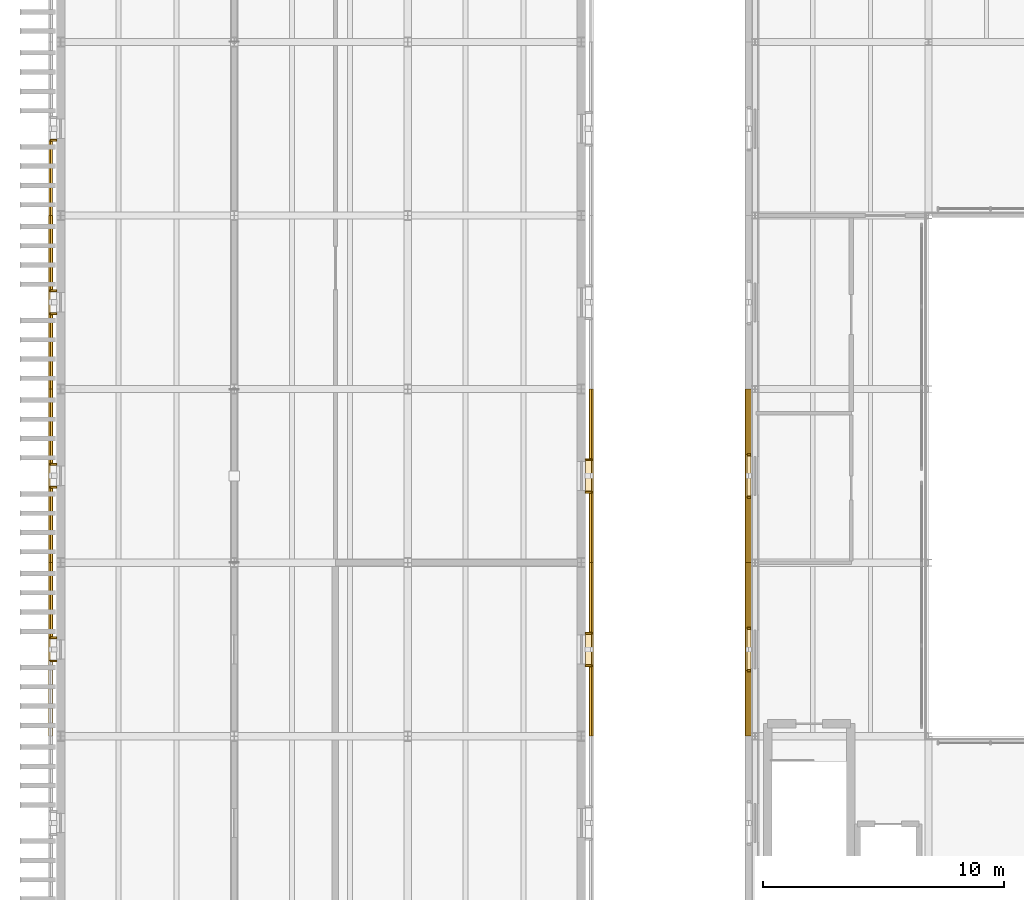
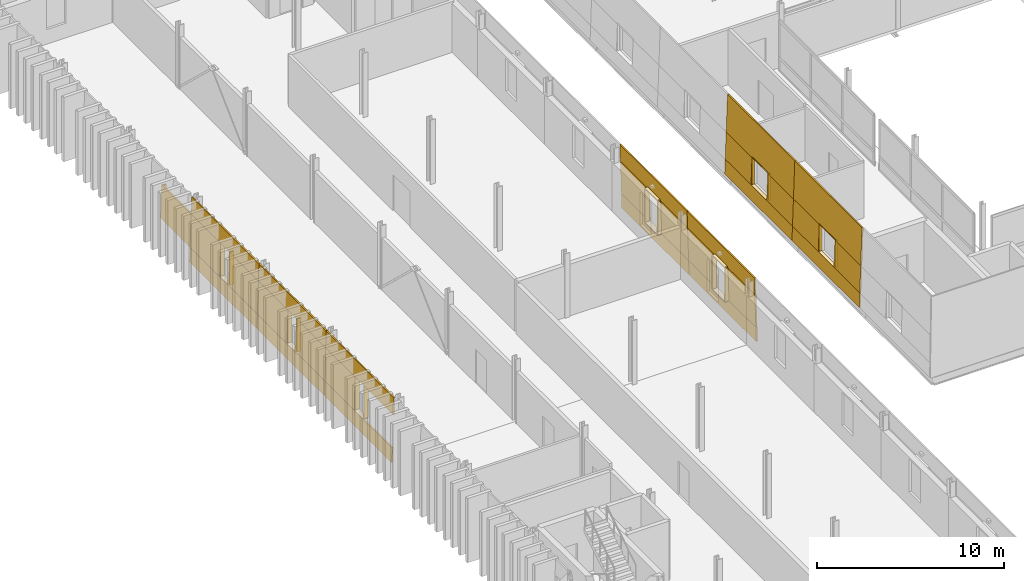
# One storey, part 61 of 66: 54 coverings.
"""IFC4 building model written with IfcOpenShell, lengths in metres."""

from ifc_helpers import new_model, si_unit, direction, frame, origin, place, context, subcontext, project, spatial, polyline, outline, extrude, material, layer, layer_set, type_object, element, save


model = new_model("IFC4")

# Units and contexts
model_context = context("Model", 3, precision=1e-05, world=origin(), true_north=direction((0.0, 1.0)))
body_context = subcontext(model_context, "Body", "Model", "MODEL_VIEW")
ifc_project = project(units=[si_unit("LENGTHUNIT", "METRE"), si_unit("AREAUNIT", "SQUARE_METRE"), si_unit("VOLUMEUNIT", "CUBIC_METRE"), si_unit("PLANEANGLEUNIT", "RADIAN"), si_unit("MASSUNIT", "GRAM", prefix="KILO")], contexts=[model_context])

# Site, building, storey
site_placement = place(None, origin())
site = spatial("IfcSite", under=ifc_project, at=site_placement, CompositionType="ELEMENT")
building_placement = place(site_placement, origin())
building = spatial("IfcBuilding", under=site, at=building_placement, Name="Narikvali Park Central Library", CompositionType="ELEMENT")
storey_placement = place(building_placement, frame((0.0, 0.0, 18.60009765625)))
storey = spatial("IfcBuildingStorey", under=building, at=storey_placement, Name="L04", CompositionType="ELEMENT", Elevation=18.60009765625)

# Coverings
ifc_material = material(Name="White Honed Limestone Cladding", Category="masonry")
ifc_layer_1 = layer(ifc_material, 0.0849609375, Name="White Honed Limestone Cladding")
ifc_layer_set_1 = layer_set([ifc_layer_1], Name="White Honed Limestone Cladding")
covering_type_1 = type_object("IfcCoveringType", Name="Battered White Limestone Facade Cladding Panel", PredefinedType="CLADDING", material=ifc_layer_set_1)
covering_1_placement = place(storey_placement, frame((28.386474609375, 79.199951171875, 0.0), z_axis=(-0.999433733171, 0.0, 0.033648372924), x_axis=(0.0, -1.0, 0.0)))
element("IfcCovering", 1, at=covering_1_placement, inside=storey, type_object=covering_type_1, Name="V4 L04 W Battered Limestone Spandrel B04", PredefinedType="CLADDING", context=body_context, shape_type="SweptSolid", body=[
    extrude(outline(polyline([(0.0, 0.0), (7.199951171875, 0.0), (7.199951171875, 0.950489402495197), (0.0, 0.950489402495197), (0.0, 0.0)])), origin(), (0.0, 0.0, -1.0), 0.0849609375),
])
covering_2_placement = place(storey_placement, frame((28.4775390625, 79.199951171875, 2.699951171875), z_axis=(-0.999433239835, 0.0, 0.033663022926), x_axis=(0.0, -1.0, 0.0)))
element("IfcCovering", 2, at=covering_2_placement, inside=storey, type_object=covering_type_1, Name="V4 L04 W Battered Limestone Lintel B04", PredefinedType="CLADDING", context=body_context, shape_type="SweptSolid", body=[
    extrude(outline(polyline([(0.0, 0.0), (7.199951171875, 0.0), (7.199951171875, 2.451340494017387), (0.0, 2.451340494017387), (0.0, 0.0)])), origin(), (0.0, 0.0, -1.0), 0.0849609375),
])
for number, where, z_axis, x_axis, name in (
    (3, (28.41845703125, 79.199951171875, 0.949951171875), (-0.999430578744, 0.0, 0.033741936392), (0.0, -1.0, 0.0), "V4 L04 W Battered Limestone Jamb Pier L B04"),
    (4, (28.41845703125, 74.760009765625, 0.949951171875), (-0.999430578744, 0.0, 0.033741936392), (0.0, -1.0, 0.0), "V4 L04 W Battered Limestone Jamb Pier R B04"),
):
    element("IfcCovering", number, at=place(storey_placement, frame(where, z_axis=z_axis, x_axis=x_axis)), inside=storey, type_object=covering_type_1, Name=name, PredefinedType="CLADDING", context=body_context, shape_type="SweptSolid", body=[
        extrude(outline(polyline([(0.0, 0.0), (2.760009765625, 0.0), (2.760009765625, 1.750997054942305), (0.0, 1.750997054942305), (0.0, 0.0)])), origin(), (0.0, 0.0, -1.0), 0.0849609375),
    ])
covering_3_placement = place(storey_placement, frame((28.386474609375, 72.0, 0.0), z_axis=(-0.999433733171, 0.0, 0.033648372924), x_axis=(0.0, -1.0, 0.0)))
element("IfcCovering", 5, at=covering_3_placement, inside=storey, type_object=covering_type_1, Name="V4 L04 W Battered Limestone Spandrel B05", PredefinedType="CLADDING", context=body_context, shape_type="SweptSolid", body=[
    extrude(outline(polyline([(0.0, 0.0), (7.199951171875, 0.0), (7.199951171875, 0.950489402495197), (0.0, 0.950489402495197), (0.0, 0.0)])), origin(), (0.0, 0.0, -1.0), 0.0849609375),
])
covering_4_placement = place(storey_placement, frame((28.4775390625, 72.0, 2.699951171875), z_axis=(-0.999433239835, 0.0, 0.033663022926), x_axis=(0.0, -1.0, 0.0)))
element("IfcCovering", 6, at=covering_4_placement, inside=storey, type_object=covering_type_1, Name="V4 L04 W Battered Limestone Lintel B05", PredefinedType="CLADDING", context=body_context, shape_type="SweptSolid", body=[
    extrude(outline(polyline([(0.0, 0.0), (7.199951171875, 0.0), (7.199951171875, 2.451340494017387), (0.0, 2.451340494017387), (0.0, 0.0)])), origin(), (0.0, 0.0, -1.0), 0.0849609375),
])
for number, where, z_axis, x_axis, name in (
    (7, (28.41845703125, 72.0, 0.949951171875), (-0.999430578744, 0.0, 0.033741936392), (0.0, -1.0, 0.0), "V4 L04 W Battered Limestone Jamb Pier L B05"),
    (8, (28.41845703125, 67.56005859375, 0.949951171875), (-0.999430578744, 0.0, 0.033741936392), (0.0, -1.0, 0.0), "V4 L04 W Battered Limestone Jamb Pier R B05"),
):
    element("IfcCovering", number, at=place(storey_placement, frame(where, z_axis=z_axis, x_axis=x_axis)), inside=storey, type_object=covering_type_1, Name=name, PredefinedType="CLADDING", context=body_context, shape_type="SweptSolid", body=[
        extrude(outline(polyline([(0.0, 0.0), (2.760009765625, 0.0), (2.760009765625, 1.750997054942305), (0.0, 1.750997054942305), (0.0, 0.0)])), origin(), (0.0, 0.0, -1.0), 0.0849609375),
    ])
covering_5_placement = place(storey_placement, frame((22.1123046875, 64.800048828125, 0.0), z_axis=(0.999600632529, 0.0, 0.02825907725), x_axis=(0.0, 1.0, 0.0)))
element("IfcCovering", 9, at=covering_5_placement, inside=storey, type_object=covering_type_1, Name="V5 L04 E Battered Limestone Spandrel B05", PredefinedType="CLADDING", context=body_context, shape_type="SweptSolid", body=[
    extrude(outline(polyline([(0.0, 0.0), (7.199951171875, 0.0), (7.199951171875, 0.9503307030441919), (0.0, 0.9503307030441919), (0.0, 0.0)])), origin(), (0.0, 0.0, -1.0), 0.0849609375),
])
covering_6_placement = place(storey_placement, frame((22.0244140625, 64.800048828125, 3.099853515625), z_axis=(0.999596777432, 0.0, 0.028395114849), x_axis=(0.0, 1.0, 0.0)))
element("IfcCovering", 10, at=covering_6_placement, inside=storey, type_object=covering_type_1, Name="V5 L04 E Battered Limestone Lintel B05", PredefinedType="CLADDING", context=body_context, shape_type="SweptSolid", body=[
    extrude(outline(polyline([(0.0, 0.0), (7.199951171875, 0.0), (7.199951171875, 1.1005414193871774), (0.0, 1.1005414193871774), (0.0, 0.0)])), origin(), (0.0, 0.0, -1.0), 0.0849609375),
])
for number, where, z_axis, x_axis, name in (
    (11, (22.08544921875, 64.800048828125, 0.949951171875), (0.99959725493, 0.0, 0.028378300447), (0.0, 1.0, 0.0), "V5 L04 E Battered Limestone Jamb Pier L B05"),
    (12, (22.08544921875, 69.0400390625, 0.949951171875), (0.99959725493, 0.0, 0.028378300447), (0.0, 1.0, 0.0), "V5 L04 E Battered Limestone Jamb Pier R B05"),
):
    element("IfcCovering", number, at=place(storey_placement, frame(where, z_axis=z_axis, x_axis=x_axis)), inside=storey, type_object=covering_type_1, Name=name, PredefinedType="CLADDING", context=body_context, shape_type="SweptSolid", body=[
        extrude(outline(polyline([(0.0, 0.0), (2.9599609375, 0.0), (2.9599609375, 2.150768555182125), (0.0, 2.150768555182125), (0.0, 0.0)])), origin(), (0.0, 0.0, -1.0), 0.0849609375),
    ])
covering_7_placement = place(storey_placement, frame((22.1123046875, 72.0, 0.0), z_axis=(0.999600632529, 0.0, 0.02825907725), x_axis=(0.0, 1.0, 0.0)))
element("IfcCovering", 13, at=covering_7_placement, inside=storey, type_object=covering_type_1, Name="V5 L04 E Battered Limestone Spandrel B06", PredefinedType="CLADDING", context=body_context, shape_type="SweptSolid", body=[
    extrude(outline(polyline([(0.0, 0.0), (7.199951171875, 0.0), (7.199951171875, 0.9503307030441919), (0.0, 0.9503307030441919), (0.0, 0.0)])), origin(), (0.0, 0.0, -1.0), 0.0849609375),
])
covering_8_placement = place(storey_placement, frame((22.0244140625, 72.0, 3.099853515625), z_axis=(0.999596777432, 0.0, 0.028395114849), x_axis=(0.0, 1.0, 0.0)))
element("IfcCovering", 14, at=covering_8_placement, inside=storey, type_object=covering_type_1, Name="V5 L04 E Battered Limestone Lintel B06", PredefinedType="CLADDING", context=body_context, shape_type="SweptSolid", body=[
    extrude(outline(polyline([(0.0, 0.0), (7.199951171875, 0.0), (7.199951171875, 1.1005414193871774), (0.0, 1.1005414193871774), (0.0, 0.0)])), origin(), (0.0, 0.0, -1.0), 0.0849609375),
])
for number, where, z_axis, x_axis, name in (
    (15, (22.08544921875, 72.0, 0.949951171875), (0.99959725493, 0.0, 0.028378300447), (0.0, 1.0, 0.0), "V5 L04 E Battered Limestone Jamb Pier L B06"),
    (16, (22.08544921875, 76.239990234375, 0.949951171875), (0.99959725493, 0.0, 0.028378300447), (0.0, 1.0, 0.0), "V5 L04 E Battered Limestone Jamb Pier R B06"),
):
    element("IfcCovering", number, at=place(storey_placement, frame(where, z_axis=z_axis, x_axis=x_axis)), inside=storey, type_object=covering_type_1, Name=name, PredefinedType="CLADDING", context=body_context, shape_type="SweptSolid", body=[
        extrude(outline(polyline([(0.0, 0.0), (2.9599609375, 0.0), (2.9599609375, 2.150768555182125), (0.0, 2.150768555182125), (0.0, 0.0)])), origin(), (0.0, 0.0, -1.0), 0.0849609375),
    ])
covering_9_placement = place(storey_placement, frame((-0.4853515625, 89.56005859375, 0.949951171875), z_axis=(-0.99959725493, 0.0, 0.028378300447), x_axis=(0.0, -1.0, 0.0)))
element("IfcCovering", 17, at=covering_9_placement, inside=storey, type_object=covering_type_1, Name="V5 L04 W Battered Limestone Jamb Pier R B03", PredefinedType="CLADDING", context=body_context, shape_type="SweptSolid", body=[
    extrude(outline(polyline([(0.0, 0.0), (3.16015625, 0.0), (3.16015625, 2.150768555182125), (0.0, 2.150768555182125), (0.0, 0.0)])), origin(), (0.0, 0.0, -1.0), 0.0849609375),
])
covering_10_placement = place(storey_placement, frame((-0.51220703125, 86.39990234375, 0.0), z_axis=(-0.999600632529, 0.0, 0.02825907725), x_axis=(0.0, -1.0, 0.0)))
element("IfcCovering", 18, at=covering_10_placement, inside=storey, type_object=covering_type_1, Name="V5 L04 W Battered Limestone Spandrel B04", PredefinedType="CLADDING", context=body_context, shape_type="SweptSolid", body=[
    extrude(outline(polyline([(0.0, 0.0), (7.199951171875, 0.0), (7.199951171875, 0.9503307030441919), (0.0, 0.9503307030441919), (0.0, 0.0)])), origin(), (0.0, 0.0, -1.0), 0.0849609375),
])
covering_11_placement = place(storey_placement, frame((-0.42431640625, 86.39990234375, 3.099853515625), z_axis=(-0.999603049438, 0.0, 0.028173454789), x_axis=(0.0, -1.0, 0.0)))
element("IfcCovering", 19, at=covering_11_placement, inside=storey, type_object=covering_type_1, Name="V5 L04 W Battered Limestone Lintel B04", PredefinedType="CLADDING", context=body_context, shape_type="SweptSolid", body=[
    extrude(outline(polyline([(0.0, 0.0), (7.199951171875, 0.0), (7.199951171875, 1.1005345140441192), (0.0, 1.1005345140441192), (0.0, 0.0)])), origin(), (0.0, 0.0, -1.0), 0.0849609375),
])
covering_12_placement = place(storey_placement, frame((-0.4853515625, 86.39990234375, 0.949951171875), z_axis=(-0.99959725493, 0.0, 0.028378300447), x_axis=(0.0, -1.0, 0.0)))
element("IfcCovering", 20, at=covering_12_placement, inside=storey, type_object=covering_type_1, Name="V5 L04 W Battered Limestone Jamb Pier L B04", PredefinedType="CLADDING", context=body_context, shape_type="SweptSolid", body=[
    extrude(outline(polyline([(0.0, 0.0), (3.159912109375, 0.0), (3.159912109375, 2.150768555182125), (0.0, 2.150768555182125), (0.0, 0.0)])), origin(), (0.0, 0.0, -1.0), 0.0849609375),
])
covering_13_placement = place(storey_placement, frame((-0.4853515625, 82.360107421875, 0.949951171875), z_axis=(-0.99959725493, 0.0, 0.028378300447), x_axis=(0.0, -1.0, 0.0)))
element("IfcCovering", 21, at=covering_13_placement, inside=storey, type_object=covering_type_1, Name="V5 L04 W Battered Limestone Jamb Pier R B04", PredefinedType="CLADDING", context=body_context, shape_type="SweptSolid", body=[
    extrude(outline(polyline([(0.0, 0.0), (3.16015625, 0.0), (3.16015625, 2.150768555182125), (0.0, 2.150768555182125), (0.0, 0.0)])), origin(), (0.0, 0.0, -1.0), 0.0849609375),
])
covering_14_placement = place(storey_placement, frame((-0.51220703125, 79.199951171875, 0.0), z_axis=(-0.999600632529, 0.0, 0.02825907725), x_axis=(0.0, -1.0, 0.0)))
element("IfcCovering", 22, at=covering_14_placement, inside=storey, type_object=covering_type_1, Name="V5 L04 W Battered Limestone Spandrel B05", PredefinedType="CLADDING", context=body_context, shape_type="SweptSolid", body=[
    extrude(outline(polyline([(0.0, 0.0), (7.199951171875, 0.0), (7.199951171875, 0.9503307030441919), (0.0, 0.9503307030441919), (0.0, 0.0)])), origin(), (0.0, 0.0, -1.0), 0.0849609375),
])
covering_15_placement = place(storey_placement, frame((-0.42431640625, 79.199951171875, 3.099853515625), z_axis=(-0.999603049438, 0.0, 0.028173454789), x_axis=(0.0, -1.0, 0.0)))
element("IfcCovering", 23, at=covering_15_placement, inside=storey, type_object=covering_type_1, Name="V5 L04 W Battered Limestone Lintel B05", PredefinedType="CLADDING", context=body_context, shape_type="SweptSolid", body=[
    extrude(outline(polyline([(0.0, 0.0), (7.199951171875, 0.0), (7.199951171875, 1.1005345140441192), (0.0, 1.1005345140441192), (0.0, 0.0)])), origin(), (0.0, 0.0, -1.0), 0.0849609375),
])
for number, where, z_axis, x_axis, name in (
    (24, (-0.4853515625, 79.199951171875, 0.949951171875), (-0.99959725493, 0.0, 0.028378300447), (0.0, -1.0, 0.0), "V5 L04 W Battered Limestone Jamb Pier L B05"),
    (25, (-0.4853515625, 75.159912109375, 0.949951171875), (-0.99959725493, 0.0, 0.028378300447), (0.0, -1.0, 0.0), "V5 L04 W Battered Limestone Jamb Pier R B05"),
):
    element("IfcCovering", number, at=place(storey_placement, frame(where, z_axis=z_axis, x_axis=x_axis)), inside=storey, type_object=covering_type_1, Name=name, PredefinedType="CLADDING", context=body_context, shape_type="SweptSolid", body=[
        extrude(outline(polyline([(0.0, 0.0), (3.159912109375, 0.0), (3.159912109375, 2.150768555182125), (0.0, 2.150768555182125), (0.0, 0.0)])), origin(), (0.0, 0.0, -1.0), 0.0849609375),
    ])
covering_16_placement = place(storey_placement, frame((-0.51220703125, 72.0, 0.0), z_axis=(-0.999600632529, 0.0, 0.02825907725), x_axis=(0.0, -1.0, 0.0)))
element("IfcCovering", 26, at=covering_16_placement, inside=storey, type_object=covering_type_1, Name="V5 L04 W Battered Limestone Spandrel B06", PredefinedType="CLADDING", context=body_context, shape_type="SweptSolid", body=[
    extrude(outline(polyline([(0.0, 0.0), (7.199951171875, 0.0), (7.199951171875, 0.9503307030441919), (0.0, 0.9503307030441919), (0.0, 0.0)])), origin(), (0.0, 0.0, -1.0), 0.0849609375),
])
covering_17_placement = place(storey_placement, frame((-0.42431640625, 72.0, 3.099853515625), z_axis=(-0.999603049438, 0.0, 0.028173454789), x_axis=(0.0, -1.0, 0.0)))
element("IfcCovering", 27, at=covering_17_placement, inside=storey, type_object=covering_type_1, Name="V5 L04 W Battered Limestone Lintel B06", PredefinedType="CLADDING", context=body_context, shape_type="SweptSolid", body=[
    extrude(outline(polyline([(0.0, 0.0), (7.199951171875, 0.0), (7.199951171875, 1.1005345140441192), (0.0, 1.1005345140441192), (0.0, 0.0)])), origin(), (0.0, 0.0, -1.0), 0.0849609375),
])
covering_18_placement = place(storey_placement, frame((-0.4853515625, 72.0, 0.949951171875), z_axis=(-0.99959725493, 0.0, 0.028378300447), x_axis=(0.0, -1.0, 0.0)))
element("IfcCovering", 28, at=covering_18_placement, inside=storey, type_object=covering_type_1, Name="V5 L04 W Battered Limestone Jamb Pier L B06", PredefinedType="CLADDING", context=body_context, shape_type="SweptSolid", body=[
    extrude(outline(polyline([(0.0, 0.0), (3.159912109375, 0.0), (3.159912109375, 2.150768555182125), (0.0, 2.150768555182125), (0.0, 0.0)])), origin(), (0.0, 0.0, -1.0), 0.0849609375),
])
ifc_layer_2 = layer(ifc_material, 0.080078125, Name="White Honed Limestone Cladding")
ifc_layer_set_2 = layer_set([ifc_layer_2], Name="White Honed Limestone Cladding")
covering_type_2 = type_object("IfcCoveringType", Name="Deep Carved White Limestone Window Reveal", PredefinedType="CLADDING", material=ifc_layer_set_2)
covering_19_placement = place(storey_placement, frame((0.0, 0.0, 2.699951171875)))
element("IfcCovering", 29, at=covering_19_placement, inside=storey, type_object=covering_type_2, Name="Deep Stone Reveal Head V4-RVL-L04-W-B04", PredefinedType="CLADDING", context=body_context, shape_type="SweptSolid", body=[
    extrude(outline(polyline([(28.635009765625, 76.47998046875), (28.635009765625, 74.719970703125), (28.4775390625, 74.719970703125), (28.4775390625, 76.47998046875), (28.635009765625, 76.47998046875)])), origin(), (0.0, 0.0, 1.0), 0.079833984375),
])
covering_20_placement = place(storey_placement, frame((0.0, 0.0, 0.869873046875)))
element("IfcCovering", 30, at=covering_20_placement, inside=storey, type_object=covering_type_2, Name="Deep Stone Reveal Sill V4-RVL-L04-W-B04", PredefinedType="CLADDING", context=body_context, shape_type="SweptSolid", body=[
    extrude(outline(polyline([(28.635009765625, 76.47998046875), (28.635009765625, 74.719970703125), (28.41845703125, 74.719970703125), (28.41845703125, 76.47998046875), (28.635009765625, 76.47998046875)])), origin(), (0.0, 0.0, 1.0), 0.080078125),
])
covering_21_placement = place(storey_placement, frame((0.0, 0.0, 0.949951171875)))
element("IfcCovering", 31, at=covering_21_placement, inside=storey, type_object=covering_type_2, Name="Deep Stone Reveal Jamb L V4-RVL-L04-W-B04", PredefinedType="CLADDING", context=body_context, shape_type="SweptSolid", body=[
    extrude(outline(polyline([(28.635009765625, 76.52001953125), (28.635009765625, 76.43994140625), (28.4775390625, 76.43994140625), (28.4775390625, 76.52001953125), (28.635009765625, 76.52001953125)])), origin(), (0.0, 0.0, 1.0), 1.75),
])
covering_22_placement = place(storey_placement, frame((0.0, 0.0, 0.949951171875)))
element("IfcCovering", 32, at=covering_22_placement, inside=storey, type_object=covering_type_2, Name="Deep Stone Reveal Jamb R V4-RVL-L04-W-B04", PredefinedType="CLADDING", context=body_context, shape_type="SweptSolid", body=[
    extrude(outline(polyline([(28.635009765625, 74.760009765625), (28.635009765625, 74.679931640625), (28.4775390625, 74.679931640625), (28.4775390625, 74.760009765625), (28.635009765625, 74.760009765625)])), origin(), (0.0, 0.0, 1.0), 1.75),
])
covering_23_placement = place(storey_placement, frame((0.0, 0.0, 2.699951171875)))
element("IfcCovering", 33, at=covering_23_placement, inside=storey, type_object=covering_type_2, Name="Deep Stone Reveal Head V4-RVL-L04-W-B05", PredefinedType="CLADDING", context=body_context, shape_type="SweptSolid", body=[
    extrude(outline(polyline([(28.635009765625, 69.280029296875), (28.635009765625, 67.52001953125), (28.4775390625, 67.52001953125), (28.4775390625, 69.280029296875), (28.635009765625, 69.280029296875)])), origin(), (0.0, 0.0, 1.0), 0.079833984375),
])
covering_24_placement = place(storey_placement, frame((0.0, 0.0, 0.869873046875)))
element("IfcCovering", 34, at=covering_24_placement, inside=storey, type_object=covering_type_2, Name="Deep Stone Reveal Sill V4-RVL-L04-W-B05", PredefinedType="CLADDING", context=body_context, shape_type="SweptSolid", body=[
    extrude(outline(polyline([(28.635009765625, 69.280029296875), (28.635009765625, 67.52001953125), (28.41845703125, 67.52001953125), (28.41845703125, 69.280029296875), (28.635009765625, 69.280029296875)])), origin(), (0.0, 0.0, 1.0), 0.080078125),
])
covering_25_placement = place(storey_placement, frame((0.0, 0.0, 0.949951171875)))
element("IfcCovering", 35, at=covering_25_placement, inside=storey, type_object=covering_type_2, Name="Deep Stone Reveal Jamb L V4-RVL-L04-W-B05", PredefinedType="CLADDING", context=body_context, shape_type="SweptSolid", body=[
    extrude(outline(polyline([(28.635009765625, 69.320068359375), (28.635009765625, 69.239990234375), (28.4775390625, 69.239990234375), (28.4775390625, 69.320068359375), (28.635009765625, 69.320068359375)])), origin(), (0.0, 0.0, 1.0), 1.75),
])
covering_26_placement = place(storey_placement, frame((0.0, 0.0, 0.949951171875)))
element("IfcCovering", 36, at=covering_26_placement, inside=storey, type_object=covering_type_2, Name="Deep Stone Reveal Jamb R V4-RVL-L04-W-B05", PredefinedType="CLADDING", context=body_context, shape_type="SweptSolid", body=[
    extrude(outline(polyline([(28.635009765625, 67.56005859375), (28.635009765625, 67.47998046875), (28.4775390625, 67.47998046875), (28.4775390625, 67.56005859375), (28.635009765625, 67.56005859375)])), origin(), (0.0, 0.0, 1.0), 1.75),
])
covering_27_placement = place(storey_placement, frame((0.0, 0.0, 3.099853515625)))
element("IfcCovering", 37, at=covering_27_placement, inside=storey, type_object=covering_type_2, Name="Deep Stone Reveal Head V5-RVL-L04-E-B05", PredefinedType="CLADDING", context=body_context, shape_type="SweptSolid", body=[
    extrude(outline(polyline([(21.764892578125, 67.719970703125), (21.764892578125, 69.080078125), (22.0244140625, 69.080078125), (22.0244140625, 67.719970703125), (21.764892578125, 67.719970703125)])), origin(), (0.0, 0.0, 1.0), 0.080078125),
])
covering_28_placement = place(storey_placement, frame((0.0, 0.0, 0.869873046875)))
element("IfcCovering", 38, at=covering_28_placement, inside=storey, type_object=covering_type_2, Name="Deep Stone Reveal Sill V5-RVL-L04-E-B05", PredefinedType="CLADDING", context=body_context, shape_type="SweptSolid", body=[
    extrude(outline(polyline([(21.764892578125, 67.719970703125), (21.764892578125, 69.080078125), (22.08544921875, 69.080078125), (22.08544921875, 67.719970703125), (21.764892578125, 67.719970703125)])), origin(), (0.0, 0.0, 1.0), 0.080078125),
])
covering_29_placement = place(storey_placement, frame((0.0, 0.0, 0.949951171875)))
element("IfcCovering", 39, at=covering_29_placement, inside=storey, type_object=covering_type_2, Name="Deep Stone Reveal Jamb L V5-RVL-L04-E-B05", PredefinedType="CLADDING", context=body_context, shape_type="SweptSolid", body=[
    extrude(outline(polyline([(21.764892578125, 67.679931640625), (21.764892578125, 67.760009765625), (22.0244140625, 67.760009765625), (22.0244140625, 67.679931640625), (21.764892578125, 67.679931640625)])), origin(), (0.0, 0.0, 1.0), 2.14990234375),
])
covering_30_placement = place(storey_placement, frame((0.0, 0.0, 0.949951171875)))
element("IfcCovering", 40, at=covering_30_placement, inside=storey, type_object=covering_type_2, Name="Deep Stone Reveal Jamb R V5-RVL-L04-E-B05", PredefinedType="CLADDING", context=body_context, shape_type="SweptSolid", body=[
    extrude(outline(polyline([(21.764892578125, 69.0400390625), (21.764892578125, 69.1201171875), (22.0244140625, 69.1201171875), (22.0244140625, 69.0400390625), (21.764892578125, 69.0400390625)])), origin(), (0.0, 0.0, 1.0), 2.14990234375),
])
covering_31_placement = place(storey_placement, frame((0.0, 0.0, 3.099853515625)))
element("IfcCovering", 41, at=covering_31_placement, inside=storey, type_object=covering_type_2, Name="Deep Stone Reveal Head V5-RVL-L04-E-B06", PredefinedType="CLADDING", context=body_context, shape_type="SweptSolid", body=[
    extrude(outline(polyline([(21.764892578125, 74.919921875), (21.764892578125, 76.280029296875), (22.0244140625, 76.280029296875), (22.0244140625, 74.919921875), (21.764892578125, 74.919921875)])), origin(), (0.0, 0.0, 1.0), 0.080078125),
])
covering_32_placement = place(storey_placement, frame((0.0, 0.0, 0.869873046875)))
element("IfcCovering", 42, at=covering_32_placement, inside=storey, type_object=covering_type_2, Name="Deep Stone Reveal Sill V5-RVL-L04-E-B06", PredefinedType="CLADDING", context=body_context, shape_type="SweptSolid", body=[
    extrude(outline(polyline([(21.764892578125, 74.919921875), (21.764892578125, 76.280029296875), (22.08544921875, 76.280029296875), (22.08544921875, 74.919921875), (21.764892578125, 74.919921875)])), origin(), (0.0, 0.0, 1.0), 0.080078125),
])
covering_33_placement = place(storey_placement, frame((0.0, 0.0, 0.949951171875)))
element("IfcCovering", 43, at=covering_33_placement, inside=storey, type_object=covering_type_2, Name="Deep Stone Reveal Jamb L V5-RVL-L04-E-B06", PredefinedType="CLADDING", context=body_context, shape_type="SweptSolid", body=[
    extrude(outline(polyline([(21.764892578125, 74.8798828125), (21.764892578125, 74.9599609375), (22.0244140625, 74.9599609375), (22.0244140625, 74.8798828125), (21.764892578125, 74.8798828125)])), origin(), (0.0, 0.0, 1.0), 2.14990234375),
])
covering_34_placement = place(storey_placement, frame((0.0, 0.0, 0.949951171875)))
element("IfcCovering", 44, at=covering_34_placement, inside=storey, type_object=covering_type_2, Name="Deep Stone Reveal Jamb R V5-RVL-L04-E-B06", PredefinedType="CLADDING", context=body_context, shape_type="SweptSolid", body=[
    extrude(outline(polyline([(21.764892578125, 76.239990234375), (21.764892578125, 76.320068359375), (22.0244140625, 76.320068359375), (22.0244140625, 76.239990234375), (21.764892578125, 76.239990234375)])), origin(), (0.0, 0.0, 1.0), 2.14990234375),
])
covering_35_placement = place(storey_placement, frame((0.0, 0.0, 0.949951171875)))
element("IfcCovering", 45, at=covering_35_placement, inside=storey, type_object=covering_type_2, Name="Deep Stone Reveal Jamb R V5-RVL-L04-W-B03", PredefinedType="CLADDING", context=body_context, shape_type="SweptSolid", body=[
    extrude(outline(polyline([(-0.1650390625, 89.56005859375), (-0.1650390625, 89.47998046875), (-0.42431640625, 89.47998046875), (-0.42431640625, 89.56005859375), (-0.1650390625, 89.56005859375)])), origin(), (0.0, 0.0, 1.0), 2.14990234375),
])
covering_36_placement = place(storey_placement, frame((0.0, 0.0, 0.869873046875)))
element("IfcCovering", 46, at=covering_36_placement, inside=storey, type_object=covering_type_2, Name="Deep Stone Reveal Sill V5-RVL-L04-W-B04", PredefinedType="CLADDING", context=body_context, shape_type="SweptSolid", body=[
    extrude(outline(polyline([(-0.1650390625, 83.280029296875), (-0.1650390625, 82.320068359375), (-0.4853515625, 82.320068359375), (-0.4853515625, 83.280029296875), (-0.1650390625, 83.280029296875)])), origin(), (0.0, 0.0, 1.0), 0.080078125),
])
covering_37_placement = place(storey_placement, frame((0.0, 0.0, 0.949951171875)))
element("IfcCovering", 47, at=covering_37_placement, inside=storey, type_object=covering_type_2, Name="Deep Stone Reveal Jamb L V5-RVL-L04-W-B04", PredefinedType="CLADDING", context=body_context, shape_type="SweptSolid", body=[
    extrude(outline(polyline([(-0.1650390625, 83.320068359375), (-0.1650390625, 83.239990234375), (-0.42431640625, 83.239990234375), (-0.42431640625, 83.320068359375), (-0.1650390625, 83.320068359375)])), origin(), (0.0, 0.0, 1.0), 2.14990234375),
])
covering_38_placement = place(storey_placement, frame((0.0, 0.0, 0.949951171875)))
element("IfcCovering", 48, at=covering_38_placement, inside=storey, type_object=covering_type_2, Name="Deep Stone Reveal Jamb R V5-RVL-L04-W-B04", PredefinedType="CLADDING", context=body_context, shape_type="SweptSolid", body=[
    extrude(outline(polyline([(-0.1650390625, 82.360107421875), (-0.1650390625, 82.280029296875), (-0.42431640625, 82.280029296875), (-0.42431640625, 82.360107421875), (-0.1650390625, 82.360107421875)])), origin(), (0.0, 0.0, 1.0), 2.14990234375),
])
covering_39_placement = place(storey_placement, frame((0.0, 0.0, 0.869873046875)))
element("IfcCovering", 49, at=covering_39_placement, inside=storey, type_object=covering_type_2, Name="Deep Stone Reveal Sill V5-RVL-L04-W-B05", PredefinedType="CLADDING", context=body_context, shape_type="SweptSolid", body=[
    extrude(outline(polyline([(-0.1650390625, 76.080078125), (-0.1650390625, 75.1201171875), (-0.4853515625, 75.1201171875), (-0.4853515625, 76.080078125), (-0.1650390625, 76.080078125)])), origin(), (0.0, 0.0, 1.0), 0.080078125),
])
covering_40_placement = place(storey_placement, frame((0.0, 0.0, 0.949951171875)))
element("IfcCovering", 50, at=covering_40_placement, inside=storey, type_object=covering_type_2, Name="Deep Stone Reveal Jamb L V5-RVL-L04-W-B05", PredefinedType="CLADDING", context=body_context, shape_type="SweptSolid", body=[
    extrude(outline(polyline([(-0.1650390625, 76.1201171875), (-0.1650390625, 76.0400390625), (-0.42431640625, 76.0400390625), (-0.42431640625, 76.1201171875), (-0.1650390625, 76.1201171875)])), origin(), (0.0, 0.0, 1.0), 2.14990234375),
])
covering_41_placement = place(storey_placement, frame((0.0, 0.0, 0.949951171875)))
element("IfcCovering", 51, at=covering_41_placement, inside=storey, type_object=covering_type_2, Name="Deep Stone Reveal Jamb R V5-RVL-L04-W-B05", PredefinedType="CLADDING", context=body_context, shape_type="SweptSolid", body=[
    extrude(outline(polyline([(-0.1650390625, 75.159912109375), (-0.1650390625, 75.080078125), (-0.42431640625, 75.080078125), (-0.42431640625, 75.159912109375), (-0.1650390625, 75.159912109375)])), origin(), (0.0, 0.0, 1.0), 2.14990234375),
])
covering_42_placement = place(storey_placement, frame((0.0, 0.0, 0.869873046875)))
element("IfcCovering", 52, at=covering_42_placement, inside=storey, type_object=covering_type_2, Name="Deep Stone Reveal Sill V5-RVL-L04-W-B06", PredefinedType="CLADDING", context=body_context, shape_type="SweptSolid", body=[
    extrude(outline(polyline([(-0.1650390625, 68.8798828125), (-0.1650390625, 67.919921875), (-0.4853515625, 67.919921875), (-0.4853515625, 68.8798828125), (-0.1650390625, 68.8798828125)])), origin(), (0.0, 0.0, 1.0), 0.080078125),
])
covering_43_placement = place(storey_placement, frame((0.0, 0.0, 0.949951171875)))
element("IfcCovering", 53, at=covering_43_placement, inside=storey, type_object=covering_type_2, Name="Deep Stone Reveal Jamb L V5-RVL-L04-W-B06", PredefinedType="CLADDING", context=body_context, shape_type="SweptSolid", body=[
    extrude(outline(polyline([(-0.1650390625, 68.919921875), (-0.1650390625, 68.840087890625), (-0.42431640625, 68.840087890625), (-0.42431640625, 68.919921875), (-0.1650390625, 68.919921875)])), origin(), (0.0, 0.0, 1.0), 2.14990234375),
])
covering_44_placement = place(storey_placement, frame((0.0, 0.0, 0.949951171875)))
element("IfcCovering", 54, at=covering_44_placement, inside=storey, type_object=covering_type_2, Name="Deep Stone Reveal Jamb R V5-RVL-L04-W-B06", PredefinedType="CLADDING", context=body_context, shape_type="SweptSolid", body=[
    extrude(outline(polyline([(-0.1650390625, 67.9599609375), (-0.1650390625, 67.8798828125), (-0.42431640625, 67.8798828125), (-0.42431640625, 67.9599609375), (-0.1650390625, 67.9599609375)])), origin(), (0.0, 0.0, 1.0), 2.14990234375),
])

save(model, "model.ifc")
